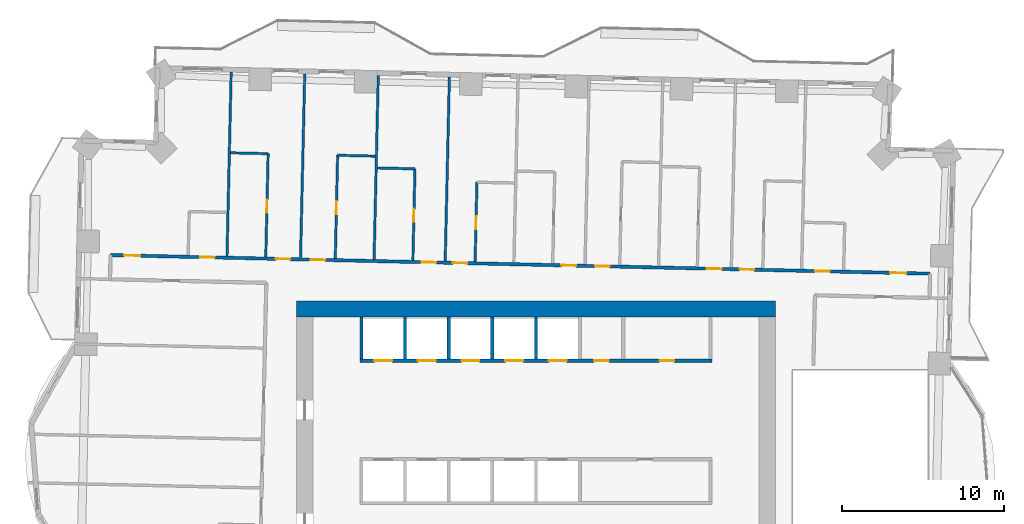
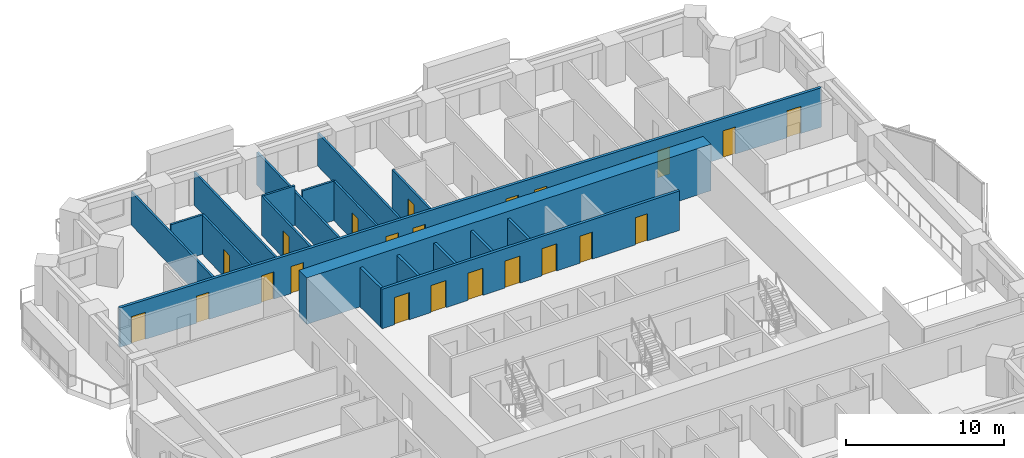
# One storey, part 10 of 16: 23 doors, 19 walls, 23 openings.
"""IFC4 building model written with IfcOpenShell, lengths in metres."""

from ifc_helpers import new_model, si_unit, direction, frame, frame_2d, origin, place, context, subcontext, project, spatial, rectangle, extrude, material, layer, layer_set, type_object, element, fill, save


model = new_model("IFC4")

# Units and contexts
model_context = context("Model", 3, precision=1e-05, world=origin(), true_north=direction((0.0, 1.0)))
body_context = subcontext(model_context, "Body", "Model", "MODEL_VIEW")
ifc_project = project(units=[si_unit("LENGTHUNIT", "METRE"), si_unit("AREAUNIT", "SQUARE_METRE"), si_unit("VOLUMEUNIT", "CUBIC_METRE"), si_unit("PLANEANGLEUNIT", "RADIAN"), si_unit("MASSUNIT", "GRAM", prefix="KILO")], contexts=[model_context])

# Site, building, storey
site_placement = place(None, origin())
site = spatial("IfcSite", under=ifc_project, at=site_placement, CompositionType="ELEMENT")
building_placement = place(site_placement, origin())
building = spatial("IfcBuilding", under=site, at=building_placement, Name="Mangrove Gate Tower", CompositionType="ELEMENT")
storey_placement = place(building_placement, frame((0.0, 0.0, 105.5)))
storey = spatial("IfcBuildingStorey", under=building, at=storey_placement, Name="L26", CompositionType="ELEMENT", Elevation=105.5)

# Wall, openings, doors
ifc_material_1 = material(Name="Concrete C70/85", Category="concrete")
ifc_layer_1 = layer(ifc_material_1, 0.199951171875)
ifc_layer_set_1 = layer_set([ifc_layer_1], Name="Core shaft wall 200 C70/85")
wall_type_1 = type_object("IfcWallType", Name="Core shaft wall 200 C70/85", PredefinedType="SHEAR", material=ifc_layer_set_1)
wall_1_placement = place(storey_placement, frame((-10.89990234375, 8.10009765625, 0.0), z_axis=(0.0, 0.0, 1.0), x_axis=(1.0, 0.0, 0.0)))
wall_1 = element("IfcWall", 1, at=wall_1_placement, inside=storey, type_object=wall_type_1, Name="WALL-L26-CORE-8", PredefinedType="SHEAR", context=body_context, shape_type="SweptSolid", body=[
    extrude(rectangle(XDim=21.7998046875, YDim=0.199951171875, at=frame_2d((10.89990234375, 0.0))), origin(), (0.0, 0.0, 1.0), 3.050048828125),
])
opening_1_placement = place(wall_1_placement, frame((0.89990234375, 0.0, 0.0)))
opening_1 = element("IfcOpeningElement", 2, at=opening_1_placement, cuts=wall_1, Name="Opening LD", PredefinedType="OPENING", context=body_context, shape_type="SweptSolid", body=[
    extrude(rectangle(XDim=1.10009765625, YDim=2.10009765625, at=frame_2d((0.550048828125, 1.050048828125))), frame((0.0, 0.10986328125, 0.0), z_axis=(0.0, -1.0, 0.0), x_axis=(1.0, 0.0, 0.0)), (0.0, 0.0, 1.0), 0.219970703125),
])
opening_2_placement = place(wall_1_placement, frame((3.60009765625, 0.0, 0.0)))
opening_2 = element("IfcOpeningElement", 3, at=opening_2_placement, cuts=wall_1, Name="Opening LD", PredefinedType="OPENING", context=body_context, shape_type="SweptSolid", body=[
    extrude(rectangle(XDim=1.10009765625, YDim=2.10009765625, at=frame_2d((0.550048828125, 1.050048828125))), frame((0.0, 0.10986328125, 0.0), z_axis=(0.0, -1.0, 0.0), x_axis=(1.0, 0.0, 0.0)), (0.0, 0.0, 1.0), 0.219970703125),
])
opening_3_placement = place(wall_1_placement, frame((6.300048828125, 0.0, 0.0)))
opening_3 = element("IfcOpeningElement", 4, at=opening_3_placement, cuts=wall_1, Name="Opening LD", PredefinedType="OPENING", context=body_context, shape_type="SweptSolid", body=[
    extrude(rectangle(XDim=1.10009765625, YDim=2.10009765625, at=frame_2d((0.550048828125, 1.050048828125))), frame((0.0, 0.10986328125, 0.0), z_axis=(0.0, -1.0, 0.0), x_axis=(1.0, 0.0, 0.0)), (0.0, 0.0, 1.0), 0.219970703125),
])
opening_4_placement = place(wall_1_placement, frame((9.0, 0.0, 0.0)))
opening_4 = element("IfcOpeningElement", 5, at=opening_4_placement, cuts=wall_1, Name="Opening LD", PredefinedType="OPENING", context=body_context, shape_type="SweptSolid", body=[
    extrude(rectangle(XDim=1.10009765625, YDim=2.10009765625, at=frame_2d((0.550048828125, 1.050048828125))), frame((0.0, 0.10986328125, 0.0), z_axis=(0.0, -1.0, 0.0), x_axis=(1.0, 0.0, 0.0)), (0.0, 0.0, 1.0), 0.219970703125),
])
opening_5_placement = place(wall_1_placement, frame((11.699951171875, 0.0, 0.0)))
opening_5 = element("IfcOpeningElement", 6, at=opening_5_placement, cuts=wall_1, Name="Opening LD", PredefinedType="OPENING", context=body_context, shape_type="SweptSolid", body=[
    extrude(rectangle(XDim=1.10009765625, YDim=2.10009765625, at=frame_2d((0.550048828125, 1.050048828125))), frame((0.0, 0.10986328125, 0.0), z_axis=(0.0, -1.0, 0.0), x_axis=(1.0, 0.0, 0.0)), (0.0, 0.0, 1.0), 0.219970703125),
])
opening_6_placement = place(wall_1_placement, frame((14.5, 0.0, 0.0)))
opening_6 = element("IfcOpeningElement", 7, at=opening_6_placement, cuts=wall_1, Name="Opening KD", PredefinedType="OPENING", context=body_context, shape_type="SweptSolid", body=[
    extrude(rectangle(XDim=0.89990234375, YDim=2.10009765625, at=frame_2d((0.449951171875, 1.050048828125))), frame((0.0, 0.10986328125, 0.0), z_axis=(0.0, -1.0, 0.0), x_axis=(1.0, 0.0, 0.0)), (0.0, 0.0, 1.0), 0.219970703125),
])
opening_7_placement = place(wall_1_placement, frame((18.550048828125, 0.0, 0.0)))
opening_7 = element("IfcOpeningElement", 8, at=opening_7_placement, cuts=wall_1, Name="Opening RD", PredefinedType="OPENING", context=body_context, shape_type="SweptSolid", body=[
    extrude(rectangle(XDim=0.89990234375, YDim=2.10009765625, at=frame_2d((0.449951171875, 1.050048828125))), frame((0.0, 0.10986328125, 0.0), z_axis=(0.0, -1.0, 0.0), x_axis=(1.0, 0.0, 0.0)), (0.0, 0.0, 1.0), 0.219970703125),
])
ifc_material_2 = material(Name="Fire-rated steel door set", Category="steel")
door_type_1 = type_object("IfcDoorType", Name="Core room door FD30S 900x2100", OperationType="SINGLE_SWING_RIGHT", PredefinedType="DOOR", material=ifc_material_2)
door_1_placement = place(opening_6_placement, origin())
door_1 = element("IfcDoor", 9, at=door_1_placement, inside=storey, type_object=door_type_1, Name="Core room door Linen store", OperationType="SINGLE_SWING_RIGHT", OverallHeight=2.10009765625, OverallWidth=0.89990234375, PredefinedType="DOOR", context=body_context, shape_type="SweptSolid", body=[
    extrude(rectangle(XDim=0.89990234375, YDim=2.10009765625, at=frame_2d((0.449951171875, 1.050048828125))), frame((0.0, 0.02490234375, 0.0), z_axis=(0.0, -1.0, 0.0), x_axis=(1.0, 0.0, 0.0)), (0.0, 0.0, 1.0), 0.050048828125),
])
fill(opening_6, door_1)
ifc_material_3 = material(Name="Stainless steel 316", Category="steel")
door_type_2 = type_object("IfcDoorType", Name="Lift landing door 1100x2100", OperationType="SLIDING_TO_LEFT", PredefinedType="DOOR", material=ifc_material_3)
door_2_placement = place(opening_1_placement, origin())
door_2 = element("IfcDoor", 10, at=door_2_placement, inside=storey, type_object=door_type_2, Name="Landing door LD P06", OperationType="SLIDING_TO_LEFT", OverallHeight=2.10009765625, OverallWidth=1.10009765625, PredefinedType="DOOR", context=body_context, shape_type="SweptSolid", body=[
    extrude(rectangle(XDim=1.10009765625, YDim=2.10009765625, at=frame_2d((0.550048828125, 1.050048828125))), frame((0.0, 0.02490234375, 0.0), z_axis=(0.0, -1.0, 0.0), x_axis=(1.0, 0.0, 0.0)), (0.0, 0.0, 1.0), 0.050048828125),
])
fill(opening_1, door_2)
door_3_placement = place(opening_2_placement, origin())
door_3 = element("IfcDoor", 11, at=door_3_placement, inside=storey, type_object=door_type_2, Name="Landing door LD P07", OperationType="SLIDING_TO_LEFT", OverallHeight=2.10009765625, OverallWidth=1.10009765625, PredefinedType="DOOR", context=body_context, shape_type="SweptSolid", body=[
    extrude(rectangle(XDim=1.10009765625, YDim=2.10009765625, at=frame_2d((0.550048828125, 1.050048828125))), frame((0.0, 0.02490234375, 0.0), z_axis=(0.0, -1.0, 0.0), x_axis=(1.0, 0.0, 0.0)), (0.0, 0.0, 1.0), 0.050048828125),
])
fill(opening_2, door_3)
door_4_placement = place(opening_3_placement, origin())
door_4 = element("IfcDoor", 12, at=door_4_placement, inside=storey, type_object=door_type_2, Name="Landing door LD P08", OperationType="SLIDING_TO_LEFT", OverallHeight=2.10009765625, OverallWidth=1.10009765625, PredefinedType="DOOR", context=body_context, shape_type="SweptSolid", body=[
    extrude(rectangle(XDim=1.10009765625, YDim=2.10009765625, at=frame_2d((0.550048828125, 1.050048828125))), frame((0.0, 0.02490234375, 0.0), z_axis=(0.0, -1.0, 0.0), x_axis=(1.0, 0.0, 0.0)), (0.0, 0.0, 1.0), 0.050048828125),
])
fill(opening_3, door_4)
door_5_placement = place(opening_4_placement, origin())
door_5 = element("IfcDoor", 13, at=door_5_placement, inside=storey, type_object=door_type_2, Name="Landing door LD P09", OperationType="SLIDING_TO_LEFT", OverallHeight=2.10009765625, OverallWidth=1.10009765625, PredefinedType="DOOR", context=body_context, shape_type="SweptSolid", body=[
    extrude(rectangle(XDim=1.10009765625, YDim=2.10009765625, at=frame_2d((0.550048828125, 1.050048828125))), frame((0.0, 0.02490234375, 0.0), z_axis=(0.0, -1.0, 0.0), x_axis=(1.0, 0.0, 0.0)), (0.0, 0.0, 1.0), 0.050048828125),
])
fill(opening_4, door_5)
door_6_placement = place(opening_5_placement, origin())
door_6 = element("IfcDoor", 14, at=door_6_placement, inside=storey, type_object=door_type_2, Name="Landing door LD P10", OperationType="SLIDING_TO_LEFT", OverallHeight=2.10009765625, OverallWidth=1.10009765625, PredefinedType="DOOR", context=body_context, shape_type="SweptSolid", body=[
    extrude(rectangle(XDim=1.10009765625, YDim=2.10009765625, at=frame_2d((0.550048828125, 1.050048828125))), frame((0.0, 0.02490234375, 0.0), z_axis=(0.0, -1.0, 0.0), x_axis=(1.0, 0.0, 0.0)), (0.0, 0.0, 1.0), 0.050048828125),
])
fill(opening_5, door_6)
ifc_material_4 = material(Name="Fire-rated steel door set", Category="steel")
door_type_3 = type_object("IfcDoorType", Name="Riser door FD30S 900x2100", OperationType="SINGLE_SWING_LEFT", PredefinedType="DOOR", material=ifc_material_4)
door_7_placement = place(opening_7_placement, origin())
door_7 = element("IfcDoor", 15, at=door_7_placement, inside=storey, type_object=door_type_3, Name="Riser door Switch room", OperationType="SINGLE_SWING_LEFT", OverallHeight=2.10009765625, OverallWidth=0.89990234375, PredefinedType="DOOR", context=body_context, shape_type="SweptSolid", body=[
    extrude(rectangle(XDim=0.89990234375, YDim=2.10009765625, at=frame_2d((0.449951171875, 1.050048828125))), frame((0.0, 0.02490234375, 0.0), z_axis=(0.0, -1.0, 0.0), x_axis=(1.0, 0.0, 0.0)), (0.0, 0.0, 1.0), 0.050048828125),
])
fill(opening_7, door_7)

# Walls
for number, where, z_axis, x_axis, name in (
    (16, (-10.800048828125, 8.199951171875, 0.0), (0.0, 0.0, 1.0), (0.0, 1.0, 0.0), "WALL-L26-CORE-26"),
    (17, (-8.10009765625, 8.199951171875, 0.0), (0.0, 0.0, 1.0), (0.0, 1.0, 0.0), "WALL-L26-CORE-27"),
    (18, (-5.39990234375, 8.199951171875, 0.0), (0.0, 0.0, 1.0), (0.0, 1.0, 0.0), "WALL-L26-CORE-28"),
    (19, (-2.699951171875, 8.199951171875, 0.0), (0.0, 0.0, 1.0), (0.0, 1.0, 0.0), "WALL-L26-CORE-29"),
    (20, (0.0, 8.199951171875, 0.0), (0.0, 0.0, 1.0), (0.0, 1.0, 0.0), "WALL-L26-CORE-30"),
):
    element("IfcWall", number, at=place(storey_placement, frame(where, z_axis=z_axis, x_axis=x_axis)), inside=storey, type_object=wall_type_1, Name=name, PredefinedType="SHEAR", context=body_context, shape_type="SweptSolid", body=[
        extrude(rectangle(XDim=2.60009765625, YDim=0.199951171875, at=frame_2d((1.300048828125, 0.0))), origin(), (0.0, 0.0, 1.0), 3.050048828125),
    ])
ifc_material_5 = material(Name="Concrete C70/85", Category="concrete")
ifc_layer_2 = layer(ifc_material_5, 1.0)
ifc_layer_set_2 = layer_set([ifc_layer_2], Name="Core wall 1000 C70/85")
wall_type_2 = type_object("IfcWallType", Name="Core wall 1000 C70/85", PredefinedType="SHEAR", material=ifc_layer_set_2)
wall_2_placement = place(storey_placement, frame((-14.800048828125, 11.300048828125, 0.0), z_axis=(0.0, 0.0, 1.0), x_axis=(1.0, 0.0, 0.0)))
element("IfcWall", 21, at=wall_2_placement, inside=storey, type_object=wall_type_2, Name="WALL-L26-CORE-2", PredefinedType="SHEAR", context=body_context, shape_type="SweptSolid", body=[
    extrude(rectangle(XDim=29.60009765625, YDim=1.0, at=frame_2d((14.800048828125, 0.0))), origin(), (0.0, 0.0, 1.0), 3.60009765625),
])

# Wall, openings, doors
ifc_material_6 = material(Name="Gypsum board on steel stud, EI 60", Category="steel")
ifc_layer_3 = layer(ifc_material_6, 0.199951171875)
ifc_layer_set_3 = layer_set([ifc_layer_3], Name="Corridor wall EI 60")
wall_type_3 = type_object("IfcWallType", Name="Corridor wall EI 60", PredefinedType="PARTITIONING", material=ifc_layer_set_3)
wall_3_placement = place(storey_placement, frame((-26.31591796875, 14.634033203125, 0.0), z_axis=(0.0, 0.0, 1.0), x_axis=(0.999742734556, -0.02268181435, 0.0)))
wall_3 = element("IfcWall", 22, at=wall_3_placement, inside=storey, type_object=wall_type_3, Name="WALL-L26-045", PredefinedType="PARTITIONING", context=body_context, shape_type="SweptSolid", body=[
    extrude(rectangle(XDim=50.707763671875, YDim=0.199951171875, at=frame_2d((25.35400390625, 0.0))), origin(), (0.0, 0.0, 1.0), 3.050048828125),
])
opening_8_placement = place(wall_3_placement, frame((48.22900390625, 0.0, 0.0)))
opening_8 = element("IfcOpeningElement", 23, at=opening_8_placement, cuts=wall_3, Name="Opening AD", PredefinedType="OPENING", context=body_context, shape_type="SweptSolid", body=[
    extrude(rectangle(XDim=1.0, YDim=2.10009765625, at=frame_2d((0.5, 1.050048828125))), frame((0.0, 0.10986328125, 0.0), z_axis=(0.0, -1.0, 0.0), x_axis=(1.0, 0.0, 0.0)), (0.0, 0.0, 1.0), 0.219970703125),
])
opening_9_placement = place(wall_3_placement, frame((43.60009765625, 0.0, 0.0)))
opening_9 = element("IfcOpeningElement", 24, at=opening_9_placement, cuts=wall_3, Name="Opening SD", PredefinedType="OPENING", context=body_context, shape_type="SweptSolid", body=[
    extrude(rectangle(XDim=0.89990234375, YDim=2.10009765625, at=frame_2d((0.449951171875, 1.050048828125))), frame((0.0, 0.10986328125, 0.0), z_axis=(0.0, -1.0, 0.0), x_axis=(1.0, 0.0, 0.0)), (0.0, 0.0, 1.0), 0.219970703125),
])
opening_10_placement = place(wall_3_placement, frame((38.925048828125, 0.0, 0.0)))
opening_10 = element("IfcOpeningElement", 25, at=opening_10_placement, cuts=wall_3, Name="Opening BD", PredefinedType="OPENING", context=body_context, shape_type="SweptSolid", body=[
    extrude(rectangle(XDim=0.89990234375, YDim=2.10009765625, at=frame_2d((0.449951171875, 1.050048828125))), frame((0.0, 0.10986328125, 0.0), z_axis=(0.0, -1.0, 0.0), x_axis=(1.0, 0.0, 0.0)), (0.0, 0.0, 1.0), 0.219970703125),
])
opening_11_placement = place(wall_3_placement, frame((36.89990234375, 0.0, 0.0)))
opening_11 = element("IfcOpeningElement", 26, at=opening_11_placement, cuts=wall_3, Name="Opening BD", PredefinedType="OPENING", context=body_context, shape_type="SweptSolid", body=[
    extrude(rectangle(XDim=0.89990234375, YDim=2.10009765625, at=frame_2d((0.449951171875, 1.050048828125))), frame((0.0, 0.10986328125, 0.0), z_axis=(0.0, -1.0, 0.0), x_axis=(1.0, 0.0, 0.0)), (0.0, 0.0, 1.0), 0.219970703125),
])
opening_12_placement = place(wall_3_placement, frame((29.97509765625, 0.0, 0.0)))
opening_12 = element("IfcOpeningElement", 27, at=opening_12_placement, cuts=wall_3, Name="Opening BD", PredefinedType="OPENING", context=body_context, shape_type="SweptSolid", body=[
    extrude(rectangle(XDim=0.89990234375, YDim=2.10009765625, at=frame_2d((0.449951171875, 1.050048828125))), frame((0.0, 0.10986328125, 0.0), z_axis=(0.0, -1.0, 0.0), x_axis=(1.0, 0.0, 0.0)), (0.0, 0.0, 1.0), 0.219970703125),
])
opening_13_placement = place(wall_3_placement, frame((27.89990234375, 0.0, 0.0)))
opening_13 = element("IfcOpeningElement", 28, at=opening_13_placement, cuts=wall_3, Name="Opening BD", PredefinedType="OPENING", context=body_context, shape_type="SweptSolid", body=[
    extrude(rectangle(XDim=0.89990234375, YDim=2.10009765625, at=frame_2d((0.449951171875, 1.050048828125))), frame((0.0, 0.10986328125, 0.0), z_axis=(0.0, -1.0, 0.0), x_axis=(1.0, 0.0, 0.0)), (0.0, 0.0, 1.0), 0.219970703125),
])
opening_14_placement = place(wall_3_placement, frame((21.175048828125, 0.0, 0.0)))
opening_14 = element("IfcOpeningElement", 29, at=opening_14_placement, cuts=wall_3, Name="Opening BD", PredefinedType="OPENING", context=body_context, shape_type="SweptSolid", body=[
    extrude(rectangle(XDim=0.89990234375, YDim=2.10009765625, at=frame_2d((0.449951171875, 1.050048828125))), frame((0.0, 0.10986328125, 0.0), z_axis=(0.0, -1.0, 0.0), x_axis=(1.0, 0.0, 0.0)), (0.0, 0.0, 1.0), 0.219970703125),
])
opening_15_placement = place(wall_3_placement, frame((19.25, 0.0, 0.0)))
opening_15 = element("IfcOpeningElement", 30, at=opening_15_placement, cuts=wall_3, Name="Opening BD", PredefinedType="OPENING", context=body_context, shape_type="SweptSolid", body=[
    extrude(rectangle(XDim=0.89990234375, YDim=2.10009765625, at=frame_2d((0.449951171875, 1.050048828125))), frame((0.0, 0.10986328125, 0.0), z_axis=(0.0, -1.0, 0.0), x_axis=(1.0, 0.0, 0.0)), (0.0, 0.0, 1.0), 0.219970703125),
])
opening_16_placement = place(wall_3_placement, frame((12.375, 0.0, 0.0)))
opening_16 = element("IfcOpeningElement", 31, at=opening_16_placement, cuts=wall_3, Name="Opening BD", PredefinedType="OPENING", context=body_context, shape_type="SweptSolid", body=[
    extrude(rectangle(XDim=0.89990234375, YDim=2.10009765625, at=frame_2d((0.449951171875, 1.050048828125))), frame((0.0, 0.10986328125, 0.0), z_axis=(0.0, -1.0, 0.0), x_axis=(1.0, 0.0, 0.0)), (0.0, 0.0, 1.0), 0.219970703125),
])
opening_17_placement = place(wall_3_placement, frame((10.22509765625, 0.0, 0.0)))
opening_17 = element("IfcOpeningElement", 32, at=opening_17_placement, cuts=wall_3, Name="Opening BD", PredefinedType="OPENING", context=body_context, shape_type="SweptSolid", body=[
    extrude(rectangle(XDim=0.89990234375, YDim=2.10009765625, at=frame_2d((0.449951171875, 1.050048828125))), frame((0.0, 0.10986328125, 0.0), z_axis=(0.0, -1.0, 0.0), x_axis=(1.0, 0.0, 0.0)), (0.0, 0.0, 1.0), 0.219970703125),
])
opening_18_placement = place(wall_3_placement, frame((0.85009765625, 0.0, 0.0)))
opening_18 = element("IfcOpeningElement", 33, at=opening_18_placement, cuts=wall_3, Name="Opening AD", PredefinedType="OPENING", context=body_context, shape_type="SweptSolid", body=[
    extrude(rectangle(XDim=1.0, YDim=2.10009765625, at=frame_2d((0.5, 1.050048828125))), frame((0.0, 0.10986328125, 0.0), z_axis=(0.0, -1.0, 0.0), x_axis=(1.0, 0.0, 0.0)), (0.0, 0.0, 1.0), 0.219970703125),
])
opening_19_placement = place(wall_3_placement, frame((5.550048828125, 0.0, 0.0)))
opening_19 = element("IfcOpeningElement", 34, at=opening_19_placement, cuts=wall_3, Name="Opening SD", PredefinedType="OPENING", context=body_context, shape_type="SweptSolid", body=[
    extrude(rectangle(XDim=0.89990234375, YDim=2.10009765625, at=frame_2d((0.449951171875, 1.050048828125))), frame((0.0, 0.10986328125, 0.0), z_axis=(0.0, -1.0, 0.0), x_axis=(1.0, 0.0, 0.0)), (0.0, 0.0, 1.0), 0.219970703125),
])
ifc_material_7 = material(Name="Timber door leaf", Category="wood")
door_type_4 = type_object("IfcDoorType", Name="Amenity door 1000", OperationType="SINGLE_SWING_LEFT", PredefinedType="DOOR", material=ifc_material_7)
door_8_placement = place(opening_8_placement, origin())
door_8 = element("IfcDoor", 35, at=door_8_placement, inside=storey, type_object=door_type_4, Name="DOOR-L26-LNG-c3b", OperationType="SINGLE_SWING_LEFT", OverallHeight=2.10009765625, OverallWidth=1.0, PredefinedType="DOOR", context=body_context, shape_type="SweptSolid", body=[
    extrude(rectangle(XDim=1.0, YDim=2.10009765625, at=frame_2d((0.5, 1.050048828125))), frame((0.0, 0.02490234375, 0.0), z_axis=(0.0, -1.0, 0.0), x_axis=(1.0, 0.0, 0.0)), (0.0, 0.0, 1.0), 0.050048828125),
])
fill(opening_8, door_8)
door_9_placement = place(opening_18_placement, origin())
door_9 = element("IfcDoor", 36, at=door_9_placement, inside=storey, type_object=door_type_4, Name="DOOR-L26-KIT-c5a", OperationType="SINGLE_SWING_RIGHT", OverallHeight=2.10009765625, OverallWidth=1.0, PredefinedType="DOOR", context=body_context, shape_type="SweptSolid", body=[
    extrude(rectangle(XDim=1.0, YDim=2.10009765625, at=frame_2d((0.5, 1.050048828125))), frame((0.0, 0.02490234375, 0.0), z_axis=(0.0, -1.0, 0.0), x_axis=(1.0, 0.0, 0.0)), (0.0, 0.0, 1.0), 0.050048828125),
])
fill(opening_18, door_9)
ifc_material_8 = material(Name="Timber door leaf", Category="wood")
door_type_5 = type_object("IfcDoorType", Name="Bedroom door 900", OperationType="SINGLE_SWING_LEFT", PredefinedType="DOOR", material=ifc_material_8)
door_10_placement = place(opening_10_placement, origin())
door_10 = element("IfcDoor", 37, at=door_10_placement, inside=storey, type_object=door_type_5, Name="DOOR-L26-BED-c308", OperationType="SINGLE_SWING_RIGHT", OverallHeight=2.10009765625, OverallWidth=0.89990234375, PredefinedType="DOOR", context=body_context, shape_type="SweptSolid", body=[
    extrude(rectangle(XDim=0.89990234375, YDim=2.10009765625, at=frame_2d((0.449951171875, 1.050048828125))), frame((0.0, 0.02490234375, 0.0), z_axis=(0.0, -1.0, 0.0), x_axis=(1.0, 0.0, 0.0)), (0.0, 0.0, 1.0), 0.050048828125),
])
fill(opening_10, door_10)
door_11_placement = place(opening_11_placement, origin())
door_11 = element("IfcDoor", 38, at=door_11_placement, inside=storey, type_object=door_type_5, Name="DOOR-L26-BED-c309", OperationType="SINGLE_SWING_LEFT", OverallHeight=2.10009765625, OverallWidth=0.89990234375, PredefinedType="DOOR", context=body_context, shape_type="SweptSolid", body=[
    extrude(rectangle(XDim=0.89990234375, YDim=2.10009765625, at=frame_2d((0.449951171875, 1.050048828125))), frame((0.0, 0.02490234375, 0.0), z_axis=(0.0, -1.0, 0.0), x_axis=(1.0, 0.0, 0.0)), (0.0, 0.0, 1.0), 0.050048828125),
])
fill(opening_11, door_11)
door_12_placement = place(opening_12_placement, origin())
door_12 = element("IfcDoor", 39, at=door_12_placement, inside=storey, type_object=door_type_5, Name="DOOR-L26-BED-c410", OperationType="SINGLE_SWING_RIGHT", OverallHeight=2.10009765625, OverallWidth=0.89990234375, PredefinedType="DOOR", context=body_context, shape_type="SweptSolid", body=[
    extrude(rectangle(XDim=0.89990234375, YDim=2.10009765625, at=frame_2d((0.449951171875, 1.050048828125))), frame((0.0, 0.02490234375, 0.0), z_axis=(0.0, -1.0, 0.0), x_axis=(1.0, 0.0, 0.0)), (0.0, 0.0, 1.0), 0.050048828125),
])
fill(opening_12, door_12)
door_13_placement = place(opening_13_placement, origin())
door_13 = element("IfcDoor", 40, at=door_13_placement, inside=storey, type_object=door_type_5, Name="DOOR-L26-BED-c411", OperationType="SINGLE_SWING_LEFT", OverallHeight=2.10009765625, OverallWidth=0.89990234375, PredefinedType="DOOR", context=body_context, shape_type="SweptSolid", body=[
    extrude(rectangle(XDim=0.89990234375, YDim=2.10009765625, at=frame_2d((0.449951171875, 1.050048828125))), frame((0.0, 0.02490234375, 0.0), z_axis=(0.0, -1.0, 0.0), x_axis=(1.0, 0.0, 0.0)), (0.0, 0.0, 1.0), 0.050048828125),
])
fill(opening_13, door_13)
door_14_placement = place(opening_14_placement, origin())
door_14 = element("IfcDoor", 41, at=door_14_placement, inside=storey, type_object=door_type_5, Name="DOOR-L26-BED-c412", OperationType="SINGLE_SWING_RIGHT", OverallHeight=2.10009765625, OverallWidth=0.89990234375, PredefinedType="DOOR", context=body_context, shape_type="SweptSolid", body=[
    extrude(rectangle(XDim=0.89990234375, YDim=2.10009765625, at=frame_2d((0.449951171875, 1.050048828125))), frame((0.0, 0.02490234375, 0.0), z_axis=(0.0, -1.0, 0.0), x_axis=(1.0, 0.0, 0.0)), (0.0, 0.0, 1.0), 0.050048828125),
])
fill(opening_14, door_14)
door_15_placement = place(opening_15_placement, origin())
door_15 = element("IfcDoor", 42, at=door_15_placement, inside=storey, type_object=door_type_5, Name="DOOR-L26-BED-c513", OperationType="SINGLE_SWING_LEFT", OverallHeight=2.10009765625, OverallWidth=0.89990234375, PredefinedType="DOOR", context=body_context, shape_type="SweptSolid", body=[
    extrude(rectangle(XDim=0.89990234375, YDim=2.10009765625, at=frame_2d((0.449951171875, 1.050048828125))), frame((0.0, 0.02490234375, 0.0), z_axis=(0.0, -1.0, 0.0), x_axis=(1.0, 0.0, 0.0)), (0.0, 0.0, 1.0), 0.050048828125),
])
fill(opening_15, door_15)
door_16_placement = place(opening_16_placement, origin())
door_16 = element("IfcDoor", 43, at=door_16_placement, inside=storey, type_object=door_type_5, Name="DOOR-L26-BED-c514", OperationType="SINGLE_SWING_RIGHT", OverallHeight=2.10009765625, OverallWidth=0.89990234375, PredefinedType="DOOR", context=body_context, shape_type="SweptSolid", body=[
    extrude(rectangle(XDim=0.89990234375, YDim=2.10009765625, at=frame_2d((0.449951171875, 1.050048828125))), frame((0.0, 0.02490234375, 0.0), z_axis=(0.0, -1.0, 0.0), x_axis=(1.0, 0.0, 0.0)), (0.0, 0.0, 1.0), 0.050048828125),
])
fill(opening_16, door_16)
door_17_placement = place(opening_17_placement, origin())
door_17 = element("IfcDoor", 44, at=door_17_placement, inside=storey, type_object=door_type_5, Name="DOOR-L26-BED-c515", OperationType="SINGLE_SWING_LEFT", OverallHeight=2.10009765625, OverallWidth=0.89990234375, PredefinedType="DOOR", context=body_context, shape_type="SweptSolid", body=[
    extrude(rectangle(XDim=0.89990234375, YDim=2.10009765625, at=frame_2d((0.449951171875, 1.050048828125))), frame((0.0, 0.02490234375, 0.0), z_axis=(0.0, -1.0, 0.0), x_axis=(1.0, 0.0, 0.0)), (0.0, 0.0, 1.0), 0.050048828125),
])
fill(opening_17, door_17)
ifc_material_9 = material(Name="Timber door leaf", Category="wood")
door_type_6 = type_object("IfcDoorType", Name="Service room door 900", OperationType="SINGLE_SWING_LEFT", PredefinedType="DOOR", material=ifc_material_9)
door_18_placement = place(opening_9_placement, origin())
door_18 = element("IfcDoor", 45, at=door_18_placement, inside=storey, type_object=door_type_6, Name="DOOR-L26-AWC-c3a", OperationType="SINGLE_SWING_RIGHT", OverallHeight=2.10009765625, OverallWidth=0.89990234375, PredefinedType="DOOR", context=body_context, shape_type="SweptSolid", body=[
    extrude(rectangle(XDim=0.89990234375, YDim=2.10009765625, at=frame_2d((0.449951171875, 1.050048828125))), frame((0.0, 0.02490234375, 0.0), z_axis=(0.0, -1.0, 0.0), x_axis=(1.0, 0.0, 0.0)), (0.0, 0.0, 1.0), 0.050048828125),
])
fill(opening_9, door_18)
door_19_placement = place(opening_19_placement, origin())
door_19 = element("IfcDoor", 46, at=door_19_placement, inside=storey, type_object=door_type_6, Name="DOOR-L26-WC-c5a", OperationType="SINGLE_SWING_LEFT", OverallHeight=2.10009765625, OverallWidth=0.89990234375, PredefinedType="DOOR", context=body_context, shape_type="SweptSolid", body=[
    extrude(rectangle(XDim=0.89990234375, YDim=2.10009765625, at=frame_2d((0.449951171875, 1.050048828125))), frame((0.0, 0.02490234375, 0.0), z_axis=(0.0, -1.0, 0.0), x_axis=(1.0, 0.0, 0.0)), (0.0, 0.0, 1.0), 0.050048828125),
])
fill(opening_19, door_19)

# Wall
ifc_material_10 = material(Name="Gypsum board on steel stud, EI 60", Category="steel")
ifc_layer_4 = layer(ifc_material_10, 0.14990234375)
ifc_layer_set_4 = layer_set([ifc_layer_4], Name="Party wall 150 EI 60")
wall_type_4 = type_object("IfcWallType", Name="Party wall 150 EI 60", PredefinedType="PARTITIONING", material=ifc_layer_set_4)
wall_4_placement = place(storey_placement, frame((-19.111083984375, 14.574951171875, 0.0), z_axis=(0.0, 0.0, 1.0), x_axis=(0.022684355347, 0.999742676904, 0.0)))
element("IfcWall", 47, at=wall_4_placement, inside=storey, type_object=wall_type_4, Name="WALL-L26-047", PredefinedType="PARTITIONING", context=body_context, shape_type="SweptSolid", body=[
    extrude(rectangle(XDim=11.3759765625, YDim=0.14990234375, at=frame_2d((5.68798828125, 0.0))), origin(), (0.0, 0.0, 1.0), 2.550048828125),
])

# Wall, opening, door
wall_5_placement = place(storey_placement, frame((-16.7119140625, 14.52001953125, 0.0), z_axis=(0.0, 0.0, 1.0), x_axis=(0.022692767652, 0.999742485991, 0.0)))
wall_5 = element("IfcWall", 48, at=wall_5_placement, inside=storey, type_object=wall_type_4, Name="WALL-L26-048", PredefinedType="PARTITIONING", context=body_context, shape_type="SweptSolid", body=[
    extrude(rectangle(XDim=6.390625, YDim=0.14990234375, at=frame_2d((3.1953125, 0.0))), origin(), (0.0, 0.0, 1.0), 3.050048828125),
])
opening_20_placement = place(wall_5_placement, frame((2.7451171875, 0.0, 0.0)))
opening_20 = element("IfcOpeningElement", 49, at=opening_20_placement, cuts=wall_5, Name="Opening ED", PredefinedType="OPENING", context=body_context, shape_type="SweptSolid", body=[
    extrude(rectangle(XDim=0.800048828125, YDim=2.10009765625, at=frame_2d((0.39990234375, 1.050048828125))), frame((0.0, 0.0849609375, 0.0), z_axis=(0.0, -1.0, 0.0), x_axis=(1.0, 0.0, 0.0)), (0.0, 0.0, 1.0), 0.169921875),
])
ifc_material_11 = material(Name="Timber door leaf", Category="wood")
door_type_7 = type_object("IfcDoorType", Name="En-suite door 800", OperationType="SINGLE_SWING_LEFT", PredefinedType="DOOR", material=ifc_material_11)
door_20_placement = place(opening_20_placement, origin())
door_20 = element("IfcDoor", 50, at=door_20_placement, inside=storey, type_object=door_type_7, Name="DOOR-L26-ENS-c515", OperationType="SINGLE_SWING_LEFT", OverallHeight=2.10009765625, OverallWidth=0.800048828125, PredefinedType="DOOR", context=body_context, shape_type="SweptSolid", body=[
    extrude(rectangle(XDim=0.800048828125, YDim=2.10009765625, at=frame_2d((0.39990234375, 1.050048828125))), frame((0.0, 0.02490234375, 0.0), z_axis=(0.0, -1.0, 0.0), x_axis=(1.0, 0.0, 0.0)), (0.0, 0.0, 1.0), 0.050048828125),
])
fill(opening_20, door_20)

# Wall
wall_6_placement = place(storey_placement, frame((-14.56201171875, 14.470947265625, 0.0), z_axis=(0.0, 0.0, 1.0), x_axis=(0.022684355347, 0.999742676904, 0.0)))
element("IfcWall", 51, at=wall_6_placement, inside=storey, type_object=wall_type_4, Name="WALL-L26-049", PredefinedType="PARTITIONING", context=body_context, shape_type="SweptSolid", body=[
    extrude(rectangle(XDim=11.3759765625, YDim=0.14990234375, at=frame_2d((5.68798828125, 0.0))), origin(), (0.0, 0.0, 1.0), 2.550048828125),
])

# Wall, opening, door
wall_7_placement = place(storey_placement, frame((-12.4130859375, 14.423095703125, 0.0), z_axis=(0.0, 0.0, 1.0), x_axis=(0.022696235044, 0.99974240728, 0.0)))
wall_7 = element("IfcWall", 52, at=wall_7_placement, inside=storey, type_object=wall_type_4, Name="WALL-L26-050", PredefinedType="PARTITIONING", context=body_context, shape_type="SweptSolid", body=[
    extrude(rectangle(XDim=6.3896484375, YDim=0.14990234375, at=frame_2d((3.19482421875, 0.0))), origin(), (0.0, 0.0, 1.0), 3.050048828125),
])
opening_21_placement = place(wall_7_placement, frame((2.7451171875, 0.0, 0.0)))
opening_21 = element("IfcOpeningElement", 53, at=opening_21_placement, cuts=wall_7, Name="Opening ED", PredefinedType="OPENING", context=body_context, shape_type="SweptSolid", body=[
    extrude(rectangle(XDim=0.800048828125, YDim=2.10009765625, at=frame_2d((0.39990234375, 1.050048828125))), frame((0.0, 0.0849609375, 0.0), z_axis=(0.0, -1.0, 0.0), x_axis=(1.0, 0.0, 0.0)), (0.0, 0.0, 1.0), 0.169921875),
])
door_21_placement = place(opening_21_placement, origin())
door_21 = element("IfcDoor", 54, at=door_21_placement, inside=storey, type_object=door_type_7, Name="DOOR-L26-ENS-c514", OperationType="SINGLE_SWING_RIGHT", OverallHeight=2.10009765625, OverallWidth=0.800048828125, PredefinedType="DOOR", context=body_context, shape_type="SweptSolid", body=[
    extrude(rectangle(XDim=0.800048828125, YDim=2.10009765625, at=frame_2d((0.39990234375, 1.050048828125))), frame((0.0, 0.02490234375, 0.0), z_axis=(0.0, -1.0, 0.0), x_axis=(1.0, 0.0, 0.0)), (0.0, 0.0, 1.0), 0.050048828125),
])
fill(opening_21, door_21)

# Wall
wall_8_placement = place(storey_placement, frame((-10.013916015625, 14.367919921875, 0.0), z_axis=(0.0, 0.0, 1.0), x_axis=(0.022662905301, 0.999743163379, 0.0)))
element("IfcWall", 55, at=wall_8_placement, inside=storey, type_object=wall_type_4, Name="WALL-L26-051", PredefinedType="PARTITIONING", context=body_context, shape_type="SweptSolid", body=[
    extrude(rectangle(XDim=11.3759765625, YDim=0.14990234375, at=frame_2d((5.68798828125, 0.0))), origin(), (0.0, 0.0, 1.0), 2.550048828125),
])

# Wall, opening, door
wall_9_placement = place(storey_placement, frame((-7.614013671875, 14.31396484375, 0.0), z_axis=(0.0, 0.0, 1.0), x_axis=(0.022604794261, 0.999744478993, 0.0)))
wall_9 = element("IfcWall", 56, at=wall_9_placement, inside=storey, type_object=wall_type_4, Name="WALL-L26-052", PredefinedType="PARTITIONING", context=body_context, shape_type="SweptSolid", body=[
    extrude(rectangle(XDim=5.659423828125, YDim=0.14990234375, at=frame_2d((2.82958984375, 0.0))), origin(), (0.0, 0.0, 1.0), 3.050048828125),
])
opening_22_placement = place(wall_9_placement, frame((2.3798828125, 0.0, 0.0)))
opening_22 = element("IfcOpeningElement", 57, at=opening_22_placement, cuts=wall_9, Name="Opening ED", PredefinedType="OPENING", context=body_context, shape_type="SweptSolid", body=[
    extrude(rectangle(XDim=0.800048828125, YDim=2.10009765625, at=frame_2d((0.39990234375, 1.050048828125))), frame((0.0, 0.0849609375, 0.0), z_axis=(0.0, -1.0, 0.0), x_axis=(1.0, 0.0, 0.0)), (0.0, 0.0, 1.0), 0.169921875),
])
door_22_placement = place(opening_22_placement, origin())
door_22 = element("IfcDoor", 58, at=door_22_placement, inside=storey, type_object=door_type_7, Name="DOOR-L26-ENS-c513", OperationType="SINGLE_SWING_LEFT", OverallHeight=2.10009765625, OverallWidth=0.800048828125, PredefinedType="DOOR", context=body_context, shape_type="SweptSolid", body=[
    extrude(rectangle(XDim=0.800048828125, YDim=2.10009765625, at=frame_2d((0.39990234375, 1.050048828125))), frame((0.0, 0.02490234375, 0.0), z_axis=(0.0, -1.0, 0.0), x_axis=(1.0, 0.0, 0.0)), (0.0, 0.0, 1.0), 0.050048828125),
])
fill(opening_22, door_22)

# Wall
wall_10_placement = place(storey_placement, frame((-5.614990234375, 14.26806640625, 0.0), z_axis=(0.0, 0.0, 1.0), x_axis=(0.022684355347, 0.999742676904, 0.0)))
element("IfcWall", 59, at=wall_10_placement, inside=storey, type_object=wall_type_4, Name="WALL-L26-053", PredefinedType="PARTITIONING", context=body_context, shape_type="SweptSolid", body=[
    extrude(rectangle(XDim=11.3759765625, YDim=0.14990234375, at=frame_2d((5.68798828125, 0.0))), origin(), (0.0, 0.0, 1.0), 2.550048828125),
])

# Wall, opening, door
wall_11_placement = place(storey_placement, frame((-3.764892578125, 14.22607421875, 0.0), z_axis=(0.0, 0.0, 1.0), x_axis=(0.022527535496, 0.999746222871, 0.0)))
wall_11 = element("IfcWall", 60, at=wall_11_placement, inside=storey, type_object=wall_type_4, Name="WALL-L26-054", PredefinedType="PARTITIONING", context=body_context, shape_type="SweptSolid", body=[
    extrude(rectangle(XDim=4.920166015625, YDim=0.14990234375, at=frame_2d((2.4599609375, 0.0))), origin(), (0.0, 0.0, 1.0), 3.050048828125),
])
opening_23_placement = place(wall_11_placement, frame((2.010009765625, 0.0, 0.0)))
opening_23 = element("IfcOpeningElement", 61, at=opening_23_placement, cuts=wall_11, Name="Opening ED", PredefinedType="OPENING", context=body_context, shape_type="SweptSolid", body=[
    extrude(rectangle(XDim=0.800048828125, YDim=2.10009765625, at=frame_2d((0.39990234375, 1.050048828125))), frame((0.0, 0.0849609375, 0.0), z_axis=(0.0, -1.0, 0.0), x_axis=(1.0, 0.0, 0.0)), (0.0, 0.0, 1.0), 0.169921875),
])
door_23_placement = place(opening_23_placement, origin())
door_23 = element("IfcDoor", 62, at=door_23_placement, inside=storey, type_object=door_type_7, Name="DOOR-L26-ENS-c412", OperationType="SINGLE_SWING_RIGHT", OverallHeight=2.10009765625, OverallWidth=0.800048828125, PredefinedType="DOOR", context=body_context, shape_type="SweptSolid", body=[
    extrude(rectangle(XDim=0.800048828125, YDim=2.10009765625, at=frame_2d((0.39990234375, 1.050048828125))), frame((0.0, 0.02490234375, 0.0), z_axis=(0.0, -1.0, 0.0), x_axis=(1.0, 0.0, 0.0)), (0.0, 0.0, 1.0), 0.050048828125),
])
fill(opening_23, door_23)

# Walls
for number, where, z_axis, x_axis, name in (
    (63, (-9.81396484375, 20.02099609375, 0.0), (0.0, 0.0, 1.0), (0.999740260747, -0.02279059109, 0.0), "WALL-L26-069"),
    (64, (-18.89501953125, 20.95703125, 0.0), (0.0, 0.0, 1.0), (0.999749744571, -0.022370700241, 0.0), "WALL-L26-072"),
    (65, (-12.27197265625, 20.806884765625, 0.0), (0.0, 0.0, 1.0), (0.999740260747, -0.02279059109, 0.0), "WALL-L26-073"),
):
    element("IfcWall", number, at=place(storey_placement, frame(where, z_axis=z_axis, x_axis=x_axis)), inside=storey, type_object=wall_type_4, Name=name, PredefinedType="PARTITIONING", context=body_context, shape_type="SweptSolid", body=[
        extrude(rectangle(XDim=2.324462890625, YDim=0.14990234375, at=frame_2d((1.162109375, 0.0))), origin(), (0.0, 0.0, 1.0), 3.050048828125),
    ])

save(model, "model.ifc")
